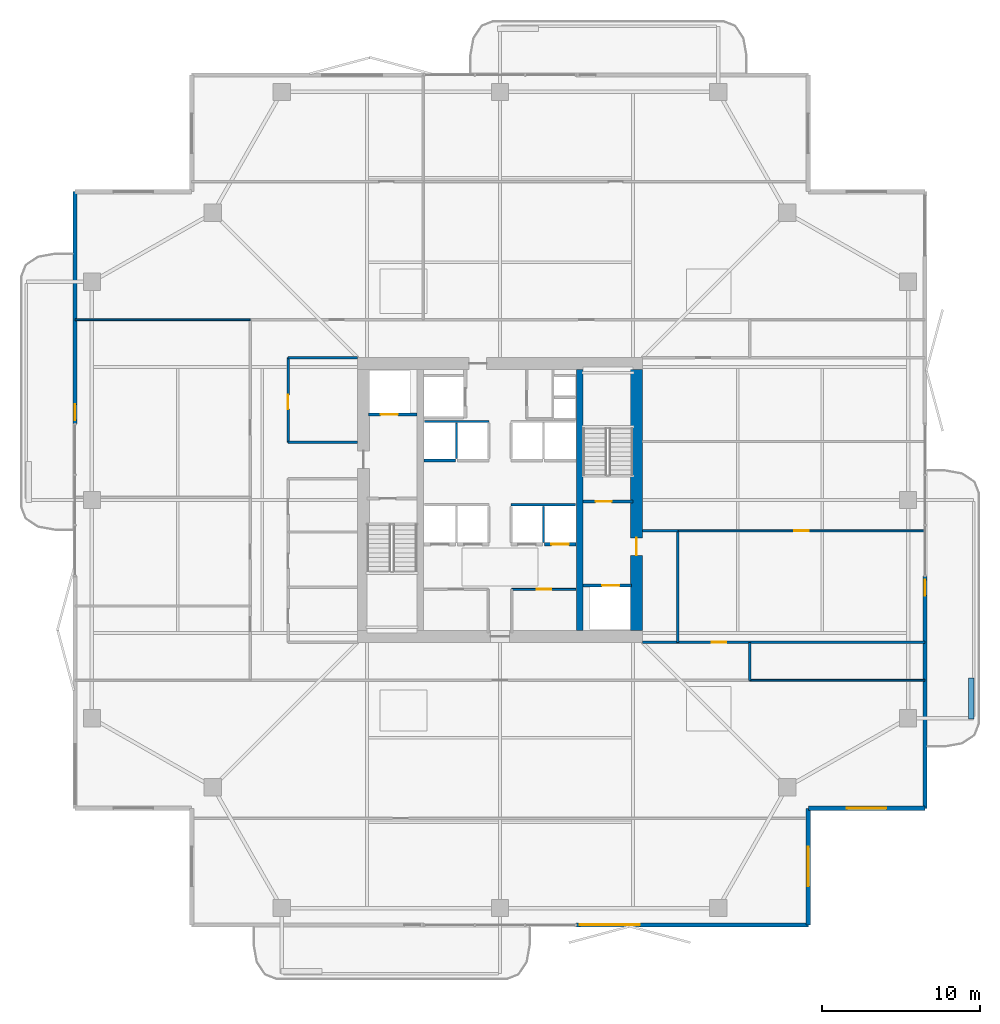
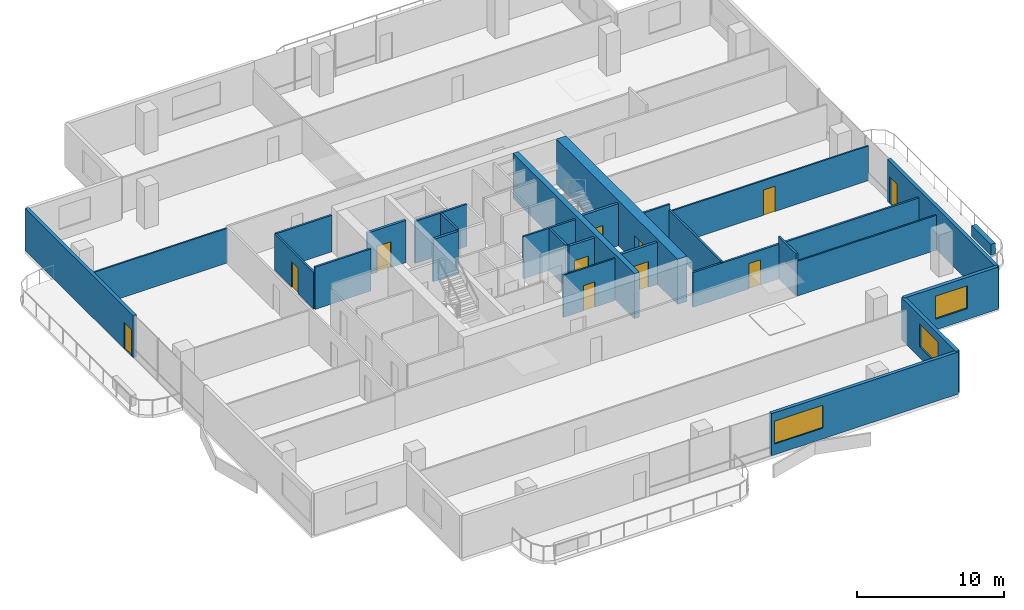
# One storey, part 18 of 24: 28 walls, 11 doors, 3 windows, 14 openings.
"""IFC4 building model written with IfcOpenShell, lengths in metres."""

import ifcopenshell
import ifcopenshell.guid

model = None  # the IFC model being written
_history = None  # IfcOwnerHistory: only IFC2X3 demands one
_inside = {}  # id of a spatial element -> (the spatial element, [elements in it])
_under = {}  # id of a project, library or spatial element -> (it, [spatial elements below it])
_declared = {}  # id of a project -> (the project, [libraries it declares])
_typed = {}  # id of a type object -> (the type object, [elements of that type])
_made_of = {}  # id of a material, layer set ... -> (it, [elements and type objects made of it])


def new_model(schema):
    """Start an empty IFC model of exactly this schema.

    Asked for "IFC4X3", IfcOpenShell would pick the latest addendum, in which some entities
    have other attributes; the version numbers below select the first issue.
    IFC2X3 requires an IfcOwnerHistory on every rooted entity: one is made here for all.
    """
    global model, _history
    if schema == "IFC4X3":
        model = ifcopenshell.file(schema_version=(4, 3, 0, 0))
    else:
        model = ifcopenshell.file(schema=schema)
    _inside.clear()
    _under.clear()
    _declared.clear()
    _typed.clear()
    _made_of.clear()
    _history = None
    if model.schema == "IFC2X3":
        org = make("IfcOrganization", Name="unknown")
        user = make(
            "IfcPersonAndOrganization",
            ThePerson=make("IfcPerson", FamilyName="unknown"),
            TheOrganization=org,
        )
        app = make(
            "IfcApplication",
            ApplicationDeveloper=org,
            Version="unknown",
            ApplicationFullName="unknown",
            ApplicationIdentifier="unknown",
        )
        _history = make(
            "IfcOwnerHistory",
            OwningUser=user,
            OwningApplication=app,
            ChangeAction="ADDED",
            CreationDate=0,
        )
    return model


def make(cls, **values):
    """One entity of the class cls with the attributes given. An attribute that is None is left unset."""
    return model.create_entity(
        cls, **{name: value for name, value in values.items() if value is not None}
    )


def rooted(cls, **values):
    """An entity with a GlobalId (a new one), such as an element, a storey or a relation."""
    return make(cls, GlobalId=ifcopenshell.guid.new(), OwnerHistory=_history, **values)


def si_unit(unit_type, name, prefix=None):
    """IfcSIUnit, for example si_unit("LENGTHUNIT", "METRE", prefix="MILLI")."""
    return make("IfcSIUnit", UnitType=unit_type, Prefix=prefix, Name=name)


def assignment(units):
    """IfcUnitAssignment: the units of a project."""
    return None if units is None else make("IfcUnitAssignment", Units=units)


def point(xyz):
    """IfcCartesianPoint."""
    return None if xyz is None else make("IfcCartesianPoint", Coordinates=xyz)


def direction(xyz):
    """IfcDirection."""
    return None if xyz is None else make("IfcDirection", DirectionRatios=xyz)


def frame(location, z_axis=None, x_axis=None):
    """IfcAxis2Placement3D, a coordinate frame: its origin and axes. An axis left out is left unset."""
    return make(
        "IfcAxis2Placement3D",
        Location=point(location),
        Axis=direction(z_axis),
        RefDirection=direction(x_axis),
    )


def frame_2d(location, x_axis=None):
    """IfcAxis2Placement2D, a coordinate frame in the plane: its origin and x axis."""
    return make(
        "IfcAxis2Placement2D", Location=point(location), RefDirection=direction(x_axis)
    )


def origin():
    """The frame at (0, 0, 0) with its axes left unset."""
    return frame((0.0, 0.0, 0.0))


def place(relative_to, where):
    """IfcLocalPlacement: puts the frame where relative to a parent placement (None: the world)."""
    return make(
        "IfcLocalPlacement", PlacementRelTo=relative_to, RelativePlacement=where
    )


def context(
    kind, dimensions, precision=None, world=None, true_north=None, identifier=None
):
    """IfcGeometricRepresentationContext, for example the 3D "Model" context."""
    return make(
        "IfcGeometricRepresentationContext",
        ContextIdentifier=identifier,
        ContextType=kind,
        CoordinateSpaceDimension=dimensions,
        Precision=precision,
        WorldCoordinateSystem=world,
        TrueNorth=true_north,
    )


def subcontext(parent, identifier, kind, view, scale=None):
    """IfcGeometricRepresentationSubContext, for example "Body" below "Model"."""
    return make(
        "IfcGeometricRepresentationSubContext",
        ContextIdentifier=identifier,
        ContextType=kind,
        ParentContext=parent,
        TargetScale=scale,
        TargetView=view,
    )


def project(units=None, contexts=None):
    """IfcProject with its units and contexts."""
    return rooted(
        "IfcProject",
        Name="project",
        RepresentationContexts=contexts,
        UnitsInContext=assignment(units),
    )


def spatial(cls, under=None, at=None, **own):
    """A site, building, storey or space (cls), placed at a placement, below another one or the project."""
    s = rooted(cls, ObjectPlacement=at, **own)
    if under is not None:
        _under.setdefault(under.id(), (under, []))[1].append(s)
    return s


def profile(cls, at=None, kind="AREA", **sizes):
    """A parametric profile (cls). Its sizes go by their IFC names, for example OverallWidth=200.0."""
    return make(cls, ProfileType=kind, Position=at, **sizes)


def rectangle(**sizes):
    """IfcRectangleProfileDef."""
    return profile("IfcRectangleProfileDef", **sizes)


def extrude(swept, where, along, depth):
    """IfcExtrudedAreaSolid: the profile swept, set in the frame where, extruded along a direction by depth."""
    return make(
        "IfcExtrudedAreaSolid",
        SweptArea=swept,
        Position=where,
        ExtrudedDirection=direction(along),
        Depth=depth,
    )


def shape(context_of_items, identifier, shape_type, items):
    """IfcShapeRepresentation: the items that make up one representation, for example the "Body"."""
    return make(
        "IfcShapeRepresentation",
        ContextOfItems=context_of_items,
        RepresentationIdentifier=identifier,
        RepresentationType=shape_type,
        Items=items,
    )


def material(Name=None, Category=None):
    """IfcMaterial."""
    return make("IfcMaterial", Name=Name, Category=Category)


def layer(
    of_material, thickness, ventilated=None, Name=None, Category=None, Priority=None
):
    """IfcMaterialLayer: one layer of a wall or slab, of a material (None: an air gap)."""
    return make(
        "IfcMaterialLayer",
        Material=of_material,
        LayerThickness=thickness,
        IsVentilated=ventilated,
        Name=Name,
        Category=Category,
        Priority=Priority,
    )


def layer_set(layers, Name=None):
    """IfcMaterialLayerSet."""
    return make("IfcMaterialLayerSet", MaterialLayers=layers, LayerSetName=Name)


def made_of(thing, what):
    """Note that an element or type object is made of a material, layer set ...; save() writes the relation."""
    if what is not None:
        _made_of.setdefault(what.id(), (what, []))[1].append(thing)
    return thing


def type_object(cls, material=None, **own):
    """A type object (cls), such as IfcWallType, which elements share."""
    return made_of(rooted(cls, **own), material)


def element(
    cls,
    number,
    at=None,
    inside=None,
    cuts=None,
    type_object=None,
    material=None,
    context=None,
    identifier="Body",
    shape_type=None,
    held_by="IfcProductDefinitionShape",
    body=None,
    shapes=None,
    **own,
):
    """One element of the class cls, such as IfcWall. Its Tag is "e" and its number.

    at: its placement. inside: the storey or other place that contains it. cuts: it is an
    opening in that element (IfcRelVoidsElement). A single representation is given by context,
    identifier, shape_type and body (its items); several are given by shapes. held_by: the class
    of the entity that holds the representations. save() writes the other relations.
    """
    e = rooted(cls, Tag="e%d" % number, ObjectPlacement=at, **own)
    if body is not None:
        shapes = [shape(context, identifier, shape_type, body)]
    if shapes is not None:
        e.Representation = make(held_by, Representations=shapes)
    if inside is not None:
        _inside.setdefault(inside.id(), (inside, []))[1].append(e)
    if cuts is not None:
        rooted(
            "IfcRelVoidsElement", RelatingBuildingElement=cuts, RelatedOpeningElement=e
        )
    if type_object is not None:
        _typed.setdefault(type_object.id(), (type_object, []))[1].append(e)
    return made_of(e, material)


def fill(opening, filler):
    """IfcRelFillsElement: the door or window that sits in an opening."""
    return rooted(
        "IfcRelFillsElement",
        RelatingOpeningElement=opening,
        RelatedBuildingElement=filler,
    )


def aggregate(whole, parts):
    """IfcRelAggregates: a whole, such as a stair, and the parts it consists of."""
    return rooted("IfcRelAggregates", RelatingObject=whole, RelatedObjects=parts)


def save(model, path):
    """Write the relations noted so far, then the file.

    IfcRelAggregates (storeys below a building ...), IfcRelContainedInSpatialStructure (elements
    in a storey), IfcRelDefinesByType, IfcRelAssociatesMaterial and IfcRelDeclares: one each for
    every whole, place, type object, material and project.
    """
    for whole, parts in _under.values():
        aggregate(whole, parts)
    for where, things in _inside.values():
        rooted(
            "IfcRelContainedInSpatialStructure",
            RelatedElements=things,
            RelatingStructure=where,
        )
    for kind, things in _typed.values():
        rooted("IfcRelDefinesByType", RelatedObjects=things, RelatingType=kind)
    for what, things in _made_of.values():
        rooted("IfcRelAssociatesMaterial", RelatedObjects=things, RelatingMaterial=what)
    for by, libraries in _declared.values():
        rooted("IfcRelDeclares", RelatingContext=by, RelatedDefinitions=libraries)
    model.write(path)


model = new_model("IFC4")

# Units and contexts
model_context = context("Model", 3, precision=1e-05, world=origin(), true_north=direction((0.0, 1.0)))
body_context = subcontext(model_context, "Body", "Model", "MODEL_VIEW")
ifc_project = project(units=[si_unit("LENGTHUNIT", "METRE"), si_unit("AREAUNIT", "SQUARE_METRE"), si_unit("VOLUMEUNIT", "CUBIC_METRE"), si_unit("PLANEANGLEUNIT", "RADIAN"), si_unit("MASSUNIT", "GRAM", prefix="KILO")], contexts=[model_context])

# Site, building, storey
site_placement = place(None, origin())
site = spatial("IfcSite", under=ifc_project, at=site_placement, CompositionType="ELEMENT")
building_placement = place(site_placement, origin())
building = spatial("IfcBuilding", under=site, at=building_placement, Name="Belovzor Exchange Tower", CompositionType="ELEMENT")
storey_placement = place(building_placement, frame((0.0, 0.0, 207.449951171875)))
storey = spatial("IfcBuildingStorey", under=building, at=storey_placement, Name="L51", CompositionType="ELEMENT", Elevation=207.449951171875)

# Wall, opening, door
ifc_material_1 = material(Name="Acoustic Plasterboard on Galvanised Studs", Category="gypsum")
ifc_layer_1 = layer(ifc_material_1, 0.1201171875)
ifc_layer_set_1 = layer_set([ifc_layer_1], Name="Acoustic Plasterboard on Galvanised Studs")
wall_type_1 = type_object("IfcWallType", Name="Acoustic Double-Stud Partition Wall 120", PredefinedType="PARTITIONING", material=ifc_layer_set_1)
wall_1_placement = place(storey_placement, frame((40.050048828125, 26.85009765625, 0.0), z_axis=(0.0, 0.0, 1.0), x_axis=(1.0, 0.0, 0.0)))
wall_1 = element("IfcWall", 1, at=wall_1_placement, inside=storey, type_object=wall_type_1, Name="W-P120 Partition Wall W-L51-EDIV-1", PredefinedType="PARTITIONING", context=body_context, shape_type="SweptSolid", body=[
    extrude(rectangle(XDim=15.619873046875, YDim=0.1201171875, at=frame_2d((7.81005859375, 0.0))), origin(), (0.0, 0.0, 1.0), 2.885009765625),
])
opening_1_placement = place(wall_1_placement, frame((7.360107421875, 0.0, 0.0)))
opening_1 = element("IfcOpeningElement", 2, at=opening_1_placement, cuts=wall_1, Name="Opening D-INT-090", PredefinedType="OPENING", context=body_context, shape_type="SweptSolid", body=[
    extrude(rectangle(XDim=0.89990234375, YDim=2.10009765625, at=frame_2d((0.449951171875, 1.050048828125))), frame((0.0, 0.070068359375, 0.0), z_axis=(0.0, -1.0, 0.0), x_axis=(1.0, 0.0, 0.0)), (0.0, 0.0, 1.0), 0.14013671875),
])
ifc_material_2 = material(Name="Veneered Hardwood Acoustic Leaf", Category="wood")
door_type_1 = type_object("IfcDoorType", Name="Trading Suite Acoustic Single Door 900x2100", OperationType="NOTDEFINED", PredefinedType="DOOR", material=ifc_material_2)
door_1_placement = place(opening_1_placement, origin())
door_1 = element("IfcDoor", 3, at=door_1_placement, inside=storey, type_object=door_type_1, Name="D-INT-090 Trading Suite Acoustic Single Door 900x2100", OperationType="SINGLE_SWING_LEFT", OverallHeight=2.10009765625, OverallWidth=0.89990234375, PredefinedType="DOOR", context=body_context, shape_type="SweptSolid", body=[
    extrude(rectangle(XDim=0.89990234375, YDim=2.10009765625, at=frame_2d((0.449951171875, 1.050048828125))), frame((0.0, 0.02490234375, 0.0), z_axis=(0.0, -1.0, 0.0), x_axis=(1.0, 0.0, 0.0)), (0.0, 0.0, 1.0), 0.050048828125),
])
fill(opening_1, door_1)

# Walls
wall_2_placement = place(storey_placement, frame((44.60009765625, 17.39990234375, 0.0), z_axis=(0.0, 0.0, 1.0), x_axis=(1.0, 0.0, 0.0)))
element("IfcWall", 4, at=wall_2_placement, inside=storey, type_object=wall_type_1, Name="W-P120 Partition Wall W-L51-END-SE", PredefinedType="PARTITIONING", context=body_context, shape_type="SweptSolid", body=[
    extrude(rectangle(XDim=11.06982421875, YDim=0.1201171875, at=frame_2d((5.534912109375, 0.0))), origin(), (0.0, 0.0, 1.0), 2.885009765625),
])
wall_3_placement = place(storey_placement, frame((1.929931640625, 40.199951171875, 0.0), z_axis=(0.0, 0.0, 1.0), x_axis=(1.0, 0.0, 0.0)))
element("IfcWall", 5, at=wall_3_placement, inside=storey, type_object=wall_type_1, Name="W-P120 Partition Wall W-L51-END-NW", PredefinedType="PARTITIONING", context=body_context, shape_type="SweptSolid", body=[
    extrude(rectangle(XDim=11.070068359375, YDim=0.1201171875, at=frame_2d((5.53515625, 0.0))), origin(), (0.0, 0.0, 1.0), 2.885009765625),
])

# Wall, opening, door
ifc_material_3 = material(Name="Fire-Rated Plasterboard on Galvanised Studs", Category="gypsum")
ifc_layer_2 = layer(ifc_material_3, 0.1201171875)
ifc_layer_set_2 = layer_set([ifc_layer_2], Name="Fire-Rated Plasterboard on Galvanised Studs")
wall_type_2 = type_object("IfcWallType", Name="Fire-Rated Double-Stud Partition Wall 120", PredefinedType="PARTITIONING", material=ifc_layer_set_2)
wall_4_placement = place(storey_placement, frame((29.550048828125, 23.14990234375, 0.0), z_axis=(0.0, 0.0, 1.0), x_axis=(1.0, 0.0, 0.0)))
wall_4 = element("IfcWall", 6, at=wall_4_placement, inside=storey, type_object=wall_type_2, Name="W-P120F Partition Wall W-CRL-L51-EN", PredefinedType="PARTITIONING", context=body_context, shape_type="SweptSolid", body=[
    extrude(rectangle(XDim=4.050048828125, YDim=0.1201171875, at=frame_2d((2.02490234375, 0.0))), origin(), (0.0, 0.0, 1.0), 3.5),
])
opening_2_placement = place(wall_4_placement, frame((1.574951171875, 0.0, 0.0)))
opening_2 = element("IfcOpeningElement", 7, at=opening_2_placement, cuts=wall_4, Name="Opening D-FD60-090", PredefinedType="OPENING", context=body_context, shape_type="SweptSolid", body=[
    extrude(rectangle(XDim=0.89990234375, YDim=2.10009765625, at=frame_2d((0.449951171875, 1.050048828125))), frame((0.0, 0.070068359375, 0.0), z_axis=(0.0, -1.0, 0.0), x_axis=(1.0, 0.0, 0.0)), (0.0, 0.0, 1.0), 0.14013671875),
])
ifc_material_4 = material(Name="Acoustic Timber Fire Leaf", Category="wood")
door_type_2 = type_object("IfcDoorType", Name="Core Service & Restroom Fire Door 900x2100", OperationType="NOTDEFINED", PredefinedType="DOOR", material=ifc_material_4)
door_2_placement = place(opening_2_placement, origin())
door_2 = element("IfcDoor", 8, at=door_2_placement, inside=storey, type_object=door_type_2, Name="D-FD60-090 Core Service & Restroom Fire Door 900x2100", OperationType="SINGLE_SWING_RIGHT", OverallHeight=2.10009765625, OverallWidth=0.89990234375, PredefinedType="DOOR", context=body_context, shape_type="SweptSolid", body=[
    extrude(rectangle(XDim=0.89990234375, YDim=2.10009765625, at=frame_2d((0.449951171875, 1.050048828125))), frame((0.0, 0.02490234375, 0.0), z_axis=(0.0, -1.0, 0.0), x_axis=(1.0, 0.0, 0.0)), (0.0, 0.0, 1.0), 0.050048828125),
])
fill(opening_2, door_2)

# Walls
ifc_material_5 = material(Name="Fire-Rated Gypsum Block and Mineral Wool", Category="gypsum")
ifc_layer_3 = layer(ifc_material_5, 0.14990234375)
ifc_layer_set_3 = layer_set([ifc_layer_3], Name="Fire-Rated Gypsum Block and Mineral Wool")
wall_type_3 = type_object("IfcWallType", Name="Fire-Rated Gypsum Block Corridor Wall 150", PredefinedType="PARTITIONING", material=ifc_layer_set_3)
wall_5_placement = place(storey_placement, frame((15.39990234375, 32.449951171875, 0.0), z_axis=(0.0, 0.0, 1.0), x_axis=(1.0, 0.0, 0.0)))
element("IfcWall", 9, at=wall_5_placement, inside=storey, type_object=wall_type_3, Name="W-P150 Partition Wall W-L51-CFW-N", PredefinedType="PARTITIONING", context=body_context, shape_type="SweptSolid", body=[
    extrude(rectangle(XDim=4.400146484375, YDim=0.14990234375, at=frame_2d((2.2001953125, 0.0))), origin(), (0.0, 0.0, 1.0), 3.5),
])
wall_6_placement = place(storey_placement, frame((15.39990234375, 37.800048828125, 0.0), z_axis=(0.0, 0.0, 1.0), x_axis=(1.0, 0.0, 0.0)))
element("IfcWall", 10, at=wall_6_placement, inside=storey, type_object=wall_type_3, Name="W-P150 Partition Wall W-L51-INW-N", PredefinedType="PARTITIONING", context=body_context, shape_type="SweptSolid", body=[
    extrude(rectangle(XDim=4.400146484375, YDim=0.14990234375, at=frame_2d((2.2001953125, 0.0))), origin(), (0.0, 0.0, 1.0), 3.03515625),
])

# Wall, opening, door
wall_7_placement = place(storey_placement, frame((15.39990234375, 32.449951171875, 0.0), z_axis=(0.0, 0.0, 1.0), x_axis=(0.0, 1.0, 0.0)))
wall_7 = element("IfcWall", 11, at=wall_7_placement, inside=storey, type_object=wall_type_3, Name="W-P150 Partition Wall W-L51-WIE-N", PredefinedType="PARTITIONING", context=body_context, shape_type="SweptSolid", body=[
    extrude(rectangle(XDim=5.35009765625, YDim=0.14990234375, at=frame_2d((2.675048828125, 0.0))), origin(), (0.0, 0.0, 1.0), 3.03515625),
])
opening_3_placement = place(wall_7_placement, frame((2.10009765625, 0.0, 0.0)))
opening_3 = element("IfcOpeningElement", 12, at=opening_3_placement, cuts=wall_7, Name="Opening D-FD60-090", PredefinedType="OPENING", context=body_context, shape_type="SweptSolid", body=[
    extrude(rectangle(XDim=0.89990234375, YDim=2.10009765625, at=frame_2d((0.449951171875, 1.050048828125))), frame((0.0, 0.0849609375, 0.0), z_axis=(0.0, -1.0, 0.0), x_axis=(1.0, 0.0, 0.0)), (0.0, 0.0, 1.0), 0.169921875),
])
door_3_placement = place(opening_3_placement, origin())
door_3 = element("IfcDoor", 13, at=door_3_placement, inside=storey, type_object=door_type_2, Name="D-FD60-090 Core Service & Restroom Fire Door 900x2100", OperationType="SINGLE_SWING_LEFT", OverallHeight=2.10009765625, OverallWidth=0.89990234375, PredefinedType="DOOR", context=body_context, shape_type="SweptSolid", body=[
    extrude(rectangle(XDim=0.89990234375, YDim=2.10009765625, at=frame_2d((0.449951171875, 1.050048828125))), frame((0.0, 0.02490234375, 0.0), z_axis=(0.0, -1.0, 0.0), x_axis=(1.0, 0.0, 0.0)), (0.0, 0.0, 1.0), 0.050048828125),
])
fill(opening_3, door_3)

# Walls
wall_8_placement = place(storey_placement, frame((37.800048828125, 26.85009765625, 0.0), z_axis=(0.0, 0.0, 1.0), x_axis=(1.0, 0.0, 0.0)))
element("IfcWall", 14, at=wall_8_placement, inside=storey, type_object=wall_type_3, Name="W-P150 Partition Wall W-L51-CFE-N", PredefinedType="PARTITIONING", context=body_context, shape_type="SweptSolid", body=[
    extrude(rectangle(XDim=2.25, YDim=0.14990234375, at=frame_2d((1.125, 0.0))), origin(), (0.0, 0.0, 1.0), 3.5),
])
wall_9_placement = place(storey_placement, frame((40.050048828125, 19.800048828125, 0.0), z_axis=(0.0, 0.0, 1.0), x_axis=(0.0, 1.0, 0.0)))
element("IfcWall", 15, at=wall_9_placement, inside=storey, type_object=wall_type_3, Name="W-P150 Partition Wall W-L51-CFE-E", PredefinedType="PARTITIONING", context=body_context, shape_type="SweptSolid", body=[
    extrude(rectangle(XDim=7.050048828125, YDim=0.14990234375, at=frame_2d((3.52490234375, 0.0))), origin(), (0.0, 0.0, 1.0), 3.03515625),
])
wall_10_placement = place(storey_placement, frame((44.60009765625, 17.39990234375, 0.0), z_axis=(0.0, 0.0, 1.0), x_axis=(0.0, 1.0, 0.0)))
element("IfcWall", 16, at=wall_10_placement, inside=storey, type_object=wall_type_3, Name="W-P150 Partition Wall W-L51-END-ES", PredefinedType="PARTITIONING", context=body_context, shape_type="SweptSolid", body=[
    extrude(rectangle(XDim=2.400146484375, YDim=0.14990234375, at=frame_2d((1.2001953125, 0.0))), origin(), (0.0, 0.0, 1.0), 3.5),
])

# Wall, opening, door
wall_11_placement = place(storey_placement, frame((37.800048828125, 19.800048828125, 0.0), z_axis=(0.0, 0.0, 1.0), x_axis=(1.0, 0.0, 0.0)))
wall_11 = element("IfcWall", 17, at=wall_11_placement, inside=storey, type_object=wall_type_3, Name="W-P150 Partition Wall W-L51-CS-IN", PredefinedType="PARTITIONING", context=body_context, shape_type="SweptSolid", body=[
    extrude(rectangle(XDim=17.869873046875, YDim=0.14990234375, at=frame_2d((8.93505859375, 0.0))), origin(), (0.0, 0.0, 1.0), 2.885009765625),
])
opening_4_placement = place(wall_11_placement, frame((4.39990234375, 0.0, 0.0)))
opening_4 = element("IfcOpeningElement", 18, at=opening_4_placement, cuts=wall_11, Name="Opening D-INT-090", PredefinedType="OPENING", context=body_context, shape_type="SweptSolid", body=[
    extrude(rectangle(XDim=0.89990234375, YDim=2.10009765625, at=frame_2d((0.449951171875, 1.050048828125))), frame((0.0, 0.0849609375, 0.0), z_axis=(0.0, -1.0, 0.0), x_axis=(1.0, 0.0, 0.0)), (0.0, 0.0, 1.0), 0.169921875),
])
door_4_placement = place(opening_4_placement, origin())
door_4 = element("IfcDoor", 19, at=door_4_placement, inside=storey, type_object=door_type_1, Name="D-INT-090 Trading Suite Acoustic Single Door 900x2100", OperationType="SINGLE_SWING_LEFT", OverallHeight=2.10009765625, OverallWidth=0.89990234375, PredefinedType="DOOR", context=body_context, shape_type="SweptSolid", body=[
    extrude(rectangle(XDim=0.89990234375, YDim=2.10009765625, at=frame_2d((0.449951171875, 1.050048828125))), frame((0.0, 0.02490234375, 0.0), z_axis=(0.0, -1.0, 0.0), x_axis=(1.0, 0.0, 0.0)), (0.0, 0.0, 1.0), 0.050048828125),
])
fill(opening_4, door_4)

# Wall, opening, window
ifc_material_6 = material(Name="Precast concrete C40/50", Category="concrete")
ifc_layer_4 = layer(ifc_material_6, 0.280029296875)
ifc_layer_set_4 = layer_set([ifc_layer_4], Name="Precast concrete C40/50")
wall_type_4 = type_object("IfcWallType", Name="Precast Concrete Notched Corner Frame Wall 280", PredefinedType="SOLIDWALL", material=ifc_layer_set_4)
wall_12_placement = place(storey_placement, frame((55.669921875, 9.300048828125, 0.0), z_axis=(0.0, 0.0, 1.0), x_axis=(-1.0, 0.0, 0.0)))
wall_12 = element("IfcWall", 20, at=wall_12_placement, inside=storey, type_object=wall_type_4, Name="W-CRN280 Precast Concrete Notched Corner Frame Wall 280 L51", PredefinedType="SOLIDWALL", context=body_context, shape_type="SweptSolid", body=[
    extrude(rectangle(XDim=7.369873046875, YDim=0.280029296875, at=frame_2d((3.68505859375, 0.0))), origin(), (0.0, 0.0, 1.0), 3.5),
])
opening_5_placement = place(wall_12_placement, frame((2.43505859375, 0.0, 0.89990234375)))
opening_5 = element("IfcOpeningElement", 21, at=opening_5_placement, cuts=wall_12, Name="Opening WN-CRN250", PredefinedType="OPENING", context=body_context, shape_type="SweptSolid", body=[
    extrude(rectangle(XDim=2.5, YDim=1.89990234375, at=frame_2d((1.25, 0.949951171875))), frame((0.0, 0.14990234375, 0.0), z_axis=(0.0, -1.0, 0.0), x_axis=(1.0, 0.0, 0.0)), (0.0, 0.0, 1.0), 0.300048828125),
])
ifc_material_7 = material(Name="Thermally Broken Aluminium and Triple Glazing", Category="aluminium")
window_type_1 = type_object("IfcWindowType", Name="Streamline Moderne Corner Wrap Ribbon Window 2500x1900", PartitioningType="SINGLE_PANEL", PredefinedType="WINDOW", material=ifc_material_7)
window_1_placement = place(opening_5_placement, origin())
window_1 = element("IfcWindow", 22, at=window_1_placement, inside=storey, type_object=window_type_1, Name="WN-CRN250 Streamline Moderne Corner Wrap Ribbon Window 2500x1900", OverallHeight=1.89990234375, OverallWidth=2.5, PartitioningType="SINGLE_PANEL", PredefinedType="WINDOW", context=body_context, shape_type="SweptSolid", body=[
    extrude(rectangle(XDim=2.5, YDim=1.89990234375, at=frame_2d((1.25, 0.949951171875))), frame((0.0, 0.030029296875, 0.0), z_axis=(0.0, -1.0, 0.0), x_axis=(1.0, 0.0, 0.0)), (0.0, 0.0, 1.0), 0.06005859375),
])
fill(opening_5, window_1)

wall_13_placement = place(storey_placement, frame((48.300048828125, 9.300048828125, 0.0), z_axis=(0.0, 0.0, 1.0), x_axis=(0.0, -1.0, 0.0)))
wall_13 = element("IfcWall", 23, at=wall_13_placement, inside=storey, type_object=wall_type_4, Name="W-CRN280 Precast Concrete Notched Corner Frame Wall 280 L51", PredefinedType="SOLIDWALL", context=body_context, shape_type="SweptSolid", body=[
    extrude(rectangle(XDim=7.3701171875, YDim=0.280029296875, at=frame_2d((3.68505859375, 0.0))), origin(), (0.0, 0.0, 1.0), 3.5),
])
opening_6_placement = place(wall_13_placement, frame((2.43505859375, 0.0, 0.89990234375)))
opening_6 = element("IfcOpeningElement", 24, at=opening_6_placement, cuts=wall_13, Name="Opening WN-CRN250", PredefinedType="OPENING", context=body_context, shape_type="SweptSolid", body=[
    extrude(rectangle(XDim=2.5, YDim=1.89990234375, at=frame_2d((1.25, 0.949951171875))), frame((0.0, 0.14990234375, 0.0), z_axis=(0.0, -1.0, 0.0), x_axis=(1.0, 0.0, 0.0)), (0.0, 0.0, 1.0), 0.300048828125),
])
window_2_placement = place(opening_6_placement, origin())
window_2 = element("IfcWindow", 25, at=window_2_placement, inside=storey, type_object=window_type_1, Name="WN-CRN250 Streamline Moderne Corner Wrap Ribbon Window 2500x1900", OverallHeight=1.89990234375, OverallWidth=2.5, PartitioningType="SINGLE_PANEL", PredefinedType="WINDOW", context=body_context, shape_type="SweptSolid", body=[
    extrude(rectangle(XDim=2.5, YDim=1.89990234375, at=frame_2d((1.25, 0.949951171875))), frame((0.0, 0.030029296875, 0.0), z_axis=(0.0, -1.0, 0.0), x_axis=(1.0, 0.0, 0.0)), (0.0, 0.0, 1.0), 0.06005859375),
])
fill(opening_6, window_2)

ifc_material_8 = material(Name="Precast concrete C40/50", Category="concrete")
ifc_layer_5 = layer(ifc_material_8, 0.260009765625)
ifc_layer_set_5 = layer_set([ifc_layer_5], Name="Precast concrete C40/50")
wall_type_5 = type_object("IfcWallType", Name="Precast Concrete Perimeter Loggia Frame Wall 260", PredefinedType="SOLIDWALL", material=ifc_layer_set_5)
wall_14_placement = place(storey_placement, frame((48.300048828125, 1.929931640625, 0.0), z_axis=(0.0, 0.0, 1.0), x_axis=(-1.0, 0.0, 0.0)))
wall_14 = element("IfcWall", 26, at=wall_14_placement, inside=storey, type_object=wall_type_5, Name="W-EXT260 Precast Concrete Perimeter Loggia Frame Wall 260 L51", PredefinedType="SOLIDWALL", context=body_context, shape_type="SweptSolid", body=[
    extrude(rectangle(XDim=14.699951171875, YDim=0.260009765625, at=frame_2d((7.35009765625, 0.0))), origin(), (0.0, 0.0, 1.0), 3.5),
])
opening_7_placement = place(wall_14_placement, frame((10.64990234375, 0.0, 0.89990234375)))
opening_7 = element("IfcOpeningElement", 27, at=opening_7_placement, cuts=wall_14, Name="Opening WN-RIB380", PredefinedType="OPENING", context=body_context, shape_type="SweptSolid", body=[
    extrude(rectangle(XDim=3.800048828125, YDim=1.89990234375, at=frame_2d((1.89990234375, 0.949951171875))), frame((0.0, 0.139892578125, 0.0), z_axis=(0.0, -1.0, 0.0), x_axis=(1.0, 0.0, 0.0)), (0.0, 0.0, 1.0), 0.280029296875),
])
ifc_material_9 = material(Name="Thermally Broken Aluminium and Triple Glazing", Category="aluminium")
window_type_2 = type_object("IfcWindowType", Name="Streamline Moderne Horizontal Ribbon Window 3800x1900", PartitioningType="SINGLE_PANEL", PredefinedType="WINDOW", material=ifc_material_9)
window_3_placement = place(opening_7_placement, origin())
window_3 = element("IfcWindow", 28, at=window_3_placement, inside=storey, type_object=window_type_2, Name="WN-RIB380 Streamline Moderne Horizontal Ribbon Window 3800x1900", OverallHeight=1.89990234375, OverallWidth=3.800048828125, PartitioningType="SINGLE_PANEL", PredefinedType="WINDOW", context=body_context, shape_type="SweptSolid", body=[
    extrude(rectangle(XDim=3.800048828125, YDim=1.89990234375, at=frame_2d((1.89990234375, 0.949951171875))), frame((0.0, 0.030029296875, 0.0), z_axis=(0.0, -1.0, 0.0), x_axis=(1.0, 0.0, 0.0)), (0.0, 0.0, 1.0), 0.06005859375),
])
fill(opening_7, window_3)

# Wall, opening, door
wall_15_placement = place(storey_placement, frame((1.929931640625, 33.60009765625, 0.0), z_axis=(0.0, 0.0, 1.0), x_axis=(0.0, 1.0, 0.0)))
wall_15 = element("IfcWall", 29, at=wall_15_placement, inside=storey, type_object=wall_type_5, Name="W-EXT260 Precast Concrete Perimeter Loggia Frame Wall 260 L51", PredefinedType="SOLIDWALL", context=body_context, shape_type="SweptSolid", body=[
    extrude(rectangle(XDim=14.699951171875, YDim=0.260009765625, at=frame_2d((7.35009765625, 0.0))), origin(), (0.0, 0.0, 1.0), 3.5),
])
opening_8_placement = place(wall_15_placement, frame((0.25, 0.0, 0.0)))
opening_8 = element("IfcOpeningElement", 30, at=opening_8_placement, cuts=wall_15, Name="Opening D-BAL100", PredefinedType="OPENING", context=body_context, shape_type="SweptSolid", body=[
    extrude(rectangle(XDim=1.0, YDim=2.199951171875, at=frame_2d((0.5, 1.10009765625))), frame((0.0, 0.139892578125, 0.0), z_axis=(0.0, -1.0, 0.0), x_axis=(1.0, 0.0, 0.0)), (0.0, 0.0, 1.0), 0.280029296875),
])
ifc_material_10 = material(Name="Thermally Broken Anodised Aluminium and Laminated Glass", Category="aluminium")
door_type_3 = type_object("IfcDoorType", Name="Planted Loggia Terrace Glazed Door 1000x2200", OperationType="SINGLE_SWING_LEFT", PredefinedType="DOOR", material=ifc_material_10)
door_5_placement = place(opening_8_placement, origin())
door_5 = element("IfcDoor", 31, at=door_5_placement, inside=storey, type_object=door_type_3, Name="D-BAL100 Balcony Terrace Door L51 W", OperationType="SINGLE_SWING_RIGHT", OverallHeight=2.199951171875, OverallWidth=1.0, PredefinedType="DOOR", context=body_context, shape_type="SweptSolid", body=[
    extrude(rectangle(XDim=1.0, YDim=2.199951171875, at=frame_2d((0.5, 1.10009765625))), frame((0.0, 0.02490234375, 0.0), z_axis=(0.0, -1.0, 0.0), x_axis=(1.0, 0.0, 0.0)), (0.0, 0.0, 1.0), 0.050048828125),
])
fill(opening_8, door_5)

wall_16_placement = place(storey_placement, frame((55.669921875, 24.0, 0.0), z_axis=(0.0, 0.0, 1.0), x_axis=(0.0, -1.0, 0.0)))
wall_16 = element("IfcWall", 32, at=wall_16_placement, inside=storey, type_object=wall_type_5, Name="W-EXT260 Precast Concrete Perimeter Loggia Frame Wall 260 L51", PredefinedType="SOLIDWALL", context=body_context, shape_type="SweptSolid", body=[
    extrude(rectangle(XDim=14.699951171875, YDim=0.260009765625, at=frame_2d((7.35009765625, 0.0))), origin(), (0.0, 0.0, 1.0), 3.5),
])
opening_9_placement = place(wall_16_placement, frame((0.25, 0.0, 0.0)))
opening_9 = element("IfcOpeningElement", 33, at=opening_9_placement, cuts=wall_16, Name="Opening D-BAL100", PredefinedType="OPENING", context=body_context, shape_type="SweptSolid", body=[
    extrude(rectangle(XDim=1.0, YDim=2.199951171875, at=frame_2d((0.5, 1.10009765625))), frame((0.0, 0.139892578125, 0.0), z_axis=(0.0, -1.0, 0.0), x_axis=(1.0, 0.0, 0.0)), (0.0, 0.0, 1.0), 0.280029296875),
])
door_6_placement = place(opening_9_placement, origin())
door_6 = element("IfcDoor", 34, at=door_6_placement, inside=storey, type_object=door_type_3, Name="D-BAL100 Balcony Terrace Door L51 E", OperationType="SINGLE_SWING_LEFT", OverallHeight=2.199951171875, OverallWidth=1.0, PredefinedType="DOOR", context=body_context, shape_type="SweptSolid", body=[
    extrude(rectangle(XDim=1.0, YDim=2.199951171875, at=frame_2d((0.5, 1.10009765625))), frame((0.0, 0.02490234375, 0.0), z_axis=(0.0, -1.0, 0.0), x_axis=(1.0, 0.0, 0.0)), (0.0, 0.0, 1.0), 0.050048828125),
])
fill(opening_9, door_6)

# Walls
ifc_material_11 = material(Name="Precast concrete C40/50", Category="concrete")
ifc_layer_6 = layer(ifc_material_11, 0.35009765625)
ifc_layer_set_6 = layer_set([ifc_layer_6], Name="Precast concrete C40/50")
wall_type_6 = type_object("IfcWallType", Name="Precast Concrete Structural Tree Planter Trough 350", PredefinedType="PARAPET", material=ifc_layer_set_6)
wall_17_placement = place(storey_placement, frame((58.60009765625, 14.949951171875, 0.0), z_axis=(0.0, 0.0, 1.0), x_axis=(0.0, 1.0, 0.0)))
element("IfcWall", 35, at=wall_17_placement, inside=storey, type_object=wall_type_6, Name="PT-350 Precast Concrete Structural Tree Planter Trough 350 L51", PredefinedType="PARAPET", context=body_context, shape_type="SweptSolid", body=[
    extrude(rectangle(XDim=2.60009765625, YDim=0.35009765625, at=frame_2d((1.300048828125, 0.0))), origin(), (0.0, 0.0, 1.0), 0.900146484375),
])
ifc_material_12 = material(Name="Concrete C50/60", Category="concrete")
ifc_layer_7 = layer(ifc_material_12, 0.39990234375)
ifc_layer_set_7 = layer_set([ifc_layer_7], Name="Concrete C50/60")
wall_type_7 = type_object("IfcWallType", Name="Reinforced Concrete Core Internal Web Wall 400", PredefinedType="SHEAR", material=ifc_layer_set_7)
wall_18_placement = place(storey_placement, frame((33.85009765625, 20.550048828125, 0.0), z_axis=(0.0, 0.0, 1.0), x_axis=(0.0, 1.0, 0.0)))
element("IfcWall", 36, at=wall_18_placement, inside=storey, type_object=wall_type_7, Name="CW-W040 Core Internal Web Wall L51 ER", PredefinedType="SHEAR", context=body_context, shape_type="SweptSolid", body=[
    extrude(rectangle(XDim=16.5, YDim=0.39990234375, at=frame_2d((8.25, 0.0))), origin(), (0.0, 0.0, 1.0), 3.75),
])
ifc_material_13 = material(Name="Concrete C50/60", Category="concrete")
ifc_layer_8 = layer(ifc_material_13, 0.14990234375)
ifc_layer_set_8 = layer_set([ifc_layer_8], Name="Concrete C50/60")
wall_type_8 = type_object("IfcWallType", Name="Reinforced Concrete Core Riser Shear Wall 150", PredefinedType="SHEAR", material=ifc_layer_set_8)
wall_19_placement = place(storey_placement, frame((29.5, 28.5, 0.0), z_axis=(0.0, 0.0, 1.0), x_axis=(1.0, 0.0, 0.0)))
element("IfcWall", 37, at=wall_19_placement, inside=storey, type_object=wall_type_8, Name="W-C150S Core Shaft Wall W-SHB-L51-PLM-NE", PredefinedType="SHEAR", context=body_context, shape_type="SweptSolid", body=[
    extrude(rectangle(XDim=4.080078125, YDim=0.14990234375, at=frame_2d((2.0400390625, 0.0))), origin(), (0.0, 0.0, 1.0), 3.5),
])
wall_20_placement = place(storey_placement, frame((31.550048828125, 26.1201171875, 0.0), z_axis=(0.0, 0.0, 1.0), x_axis=(0.0, 1.0, 0.0)))
element("IfcWall", 38, at=wall_20_placement, inside=storey, type_object=wall_type_8, Name="W-C150S Core Shaft Wall W-SHD-L51-PLM-4", PredefinedType="SHEAR", context=body_context, shape_type="SweptSolid", body=[
    extrude(rectangle(XDim=2.27978515625, YDim=0.14990234375, at=frame_2d((1.139892578125, 0.0))), origin(), (0.0, 0.0, 1.0), 3.5),
])
wall_21_placement = place(storey_placement, frame((24.02001953125, 33.760009765625, 0.0), z_axis=(0.0, 0.0, 1.0), x_axis=(1.0, 0.0, 0.0)))
element("IfcWall", 39, at=wall_21_placement, inside=storey, type_object=wall_type_8, Name="W-C150S Core Shaft Wall W-SHB-L51-PLH-NW", PredefinedType="SHEAR", context=body_context, shape_type="SweptSolid", body=[
    extrude(rectangle(XDim=4.080078125, YDim=0.14990234375, at=frame_2d((2.0400390625, 0.0))), origin(), (0.0, 0.0, 1.0), 3.5),
])
wall_22_placement = place(storey_placement, frame((26.050048828125, 31.419921875, 0.0), z_axis=(0.0, 0.0, 1.0), x_axis=(0.0, 1.0, 0.0)))
element("IfcWall", 40, at=wall_22_placement, inside=storey, type_object=wall_type_8, Name="W-C150S Core Shaft Wall W-SHD-L51-PLH-1", PredefinedType="SHEAR", context=body_context, shape_type="SweptSolid", body=[
    extrude(rectangle(XDim=2.239990234375, YDim=0.14990234375, at=frame_2d((1.1201171875, 0.0))), origin(), (0.0, 0.0, 1.0), 3.5),
])

# Wall, opening, door
ifc_material_14 = material(Name="Concrete C50/60", Category="concrete")
ifc_layer_9 = layer(ifc_material_14, 0.199951171875)
ifc_layer_set_9 = layer_set([ifc_layer_9], Name="Concrete C50/60")
wall_type_9 = type_object("IfcWallType", Name="Reinforced Concrete Core Shaft Shear Wall 200", PredefinedType="SHEAR", material=ifc_layer_set_9)
wall_23_placement = place(storey_placement, frame((34.050048828125, 28.699951171875, 0.0), z_axis=(0.0, 0.0, 1.0), x_axis=(1.0, 0.0, 0.0)))
wall_23 = element("IfcWall", 41, at=wall_23_placement, inside=storey, type_object=wall_type_9, Name="W-C200S Core Shaft Wall W-CORE-L51-FFLE2", PredefinedType="SHEAR", context=body_context, shape_type="SweptSolid", body=[
    extrude(rectangle(XDim=3.14990234375, YDim=0.199951171875, at=frame_2d((1.574951171875, 0.0))), origin(), (0.0, 0.0, 1.0), 3.5),
])
opening_10_placement = place(wall_23_placement, frame((0.800048828125, 0.0, 0.0)))
opening_10 = element("IfcOpeningElement", 42, at=opening_10_placement, cuts=wall_23, Name="Opening D-FD90-100", PredefinedType="OPENING", context=body_context, shape_type="SweptSolid", body=[
    extrude(rectangle(XDim=1.0, YDim=2.10009765625, at=frame_2d((0.5, 1.050048828125))), frame((0.0, 0.10986328125, 0.0), z_axis=(0.0, -1.0, 0.0), x_axis=(1.0, 0.0, 0.0)), (0.0, 0.0, 1.0), 0.219970703125),
])
ifc_material_15 = material(Name="Fire-Rated Galvanised Steel Leaf", Category="steel")
door_type_4 = type_object("IfcDoorType", Name="Protected Stairwell Single Fire Door 1000x2100", OperationType="NOTDEFINED", PredefinedType="DOOR", material=ifc_material_15)
door_7_placement = place(opening_10_placement, origin())
door_7 = element("IfcDoor", 43, at=door_7_placement, inside=storey, type_object=door_type_4, Name="D-FD90-100 Protected Stairwell Single Fire Door 1000x2100", OperationType="SINGLE_SWING_LEFT", OverallHeight=2.10009765625, OverallWidth=1.0, PredefinedType="DOOR", context=body_context, shape_type="SweptSolid", body=[
    extrude(rectangle(XDim=1.0, YDim=2.10009765625, at=frame_2d((0.5, 1.050048828125))), frame((0.0, 0.02490234375, 0.0), z_axis=(0.0, -1.0, 0.0), x_axis=(1.0, 0.0, 0.0)), (0.0, 0.0, 1.0), 0.050048828125),
])
fill(opening_10, door_7)

wall_24_placement = place(storey_placement, frame((20.5, 34.199951171875, 0.0), z_axis=(0.0, 0.0, 1.0), x_axis=(1.0, 0.0, 0.0)))
wall_24 = element("IfcWall", 44, at=wall_24_placement, inside=storey, type_object=wall_type_9, Name="W-C200S Core Shaft Wall W-SH-L51-FFL-01", PredefinedType="SHEAR", context=body_context, shape_type="SweptSolid", body=[
    extrude(rectangle(XDim=3.050048828125, YDim=0.199951171875, at=frame_2d((1.52490234375, 0.0))), origin(), (0.0, 0.0, 1.0), 3.5),
])
opening_11_placement = place(wall_24_placement, frame((0.75, 0.0, 0.0)))
opening_11 = element("IfcOpeningElement", 45, at=opening_11_placement, cuts=wall_24, Name="Opening LD-110", PredefinedType="OPENING", context=body_context, shape_type="SweptSolid", body=[
    extrude(rectangle(XDim=1.10009765625, YDim=2.14990234375, at=frame_2d((0.550048828125, 1.074951171875))), frame((0.0, 0.10986328125, 0.0), z_axis=(0.0, -1.0, 0.0), x_axis=(1.0, 0.0, 0.0)), (0.0, 0.0, 1.0), 0.219970703125),
])
ifc_material_16 = material(Name="Stainless Steel Grade 304", Category="steel")
door_type_5 = type_object("IfcDoorType", Name="Automated Stainless Steel Lift Landing Door 1100x2150", OperationType="SLIDING_TO_RIGHT", PredefinedType="DOOR", material=ifc_material_16)
door_8_placement = place(opening_11_placement, origin())
door_8 = element("IfcDoor", 46, at=door_8_placement, inside=storey, type_object=door_type_5, Name="LD-110 Automated Stainless Steel Lift Landing Door 1100x2150", OperationType="SLIDING_TO_RIGHT", OverallHeight=2.14990234375, OverallWidth=1.10009765625, PredefinedType="DOOR", context=body_context, shape_type="SweptSolid", body=[
    extrude(rectangle(XDim=1.10009765625, YDim=2.14990234375, at=frame_2d((0.550048828125, 1.074951171875))), frame((0.0, 0.02490234375, 0.0), z_axis=(0.0, -1.0, 0.0), x_axis=(1.0, 0.0, 0.0)), (0.0, 0.0, 1.0), 0.050048828125),
])
fill(opening_11, door_8)

wall_25_placement = place(storey_placement, frame((34.050048828125, 23.39990234375, 0.0), z_axis=(0.0, 0.0, 1.0), x_axis=(1.0, 0.0, 0.0)))
wall_25 = element("IfcWall", 47, at=wall_25_placement, inside=storey, type_object=wall_type_9, Name="W-C200S Core Shaft Wall W-SH-L51-FFL-02", PredefinedType="SHEAR", context=body_context, shape_type="SweptSolid", body=[
    extrude(rectangle(XDim=3.050048828125, YDim=0.199951171875, at=frame_2d((1.52490234375, 0.0))), origin(), (0.0, 0.0, 1.0), 3.5),
])
opening_12_placement = place(wall_25_placement, frame((1.199951171875, 0.0, 0.0)))
opening_12 = element("IfcOpeningElement", 48, at=opening_12_placement, cuts=wall_25, Name="Opening LD-110", PredefinedType="OPENING", context=body_context, shape_type="SweptSolid", body=[
    extrude(rectangle(XDim=1.10009765625, YDim=2.14990234375, at=frame_2d((0.550048828125, 1.074951171875))), frame((0.0, 0.10986328125, 0.0), z_axis=(0.0, -1.0, 0.0), x_axis=(1.0, 0.0, 0.0)), (0.0, 0.0, 1.0), 0.219970703125),
])
door_9_placement = place(opening_12_placement, origin())
door_9 = element("IfcDoor", 49, at=door_9_placement, inside=storey, type_object=door_type_5, Name="LD-110 Automated Stainless Steel Lift Landing Door 1100x2150", OperationType="SLIDING_TO_RIGHT", OverallHeight=2.14990234375, OverallWidth=1.10009765625, PredefinedType="DOOR", context=body_context, shape_type="SweptSolid", body=[
    extrude(rectangle(XDim=1.10009765625, YDim=2.14990234375, at=frame_2d((0.550048828125, 1.074951171875))), frame((0.0, 0.02490234375, 0.0), z_axis=(0.0, -1.0, 0.0), x_axis=(1.0, 0.0, 0.0)), (0.0, 0.0, 1.0), 0.050048828125),
])
fill(opening_12, door_9)

wall_26_placement = place(storey_placement, frame((31.60009765625, 26.0, 0.0), z_axis=(0.0, 0.0, 1.0), x_axis=(1.0, 0.0, 0.0)))
wall_26 = element("IfcWall", 50, at=wall_26_placement, inside=storey, type_object=wall_type_9, Name="W-C200S Core Shaft Wall W-SH-L51-PL-M4", PredefinedType="SHEAR", context=body_context, shape_type="SweptSolid", body=[
    extrude(rectangle(XDim=2.0, YDim=0.199951171875, at=frame_2d((1.0, 0.0))), origin(), (0.0, 0.0, 1.0), 3.5),
])
opening_13_placement = place(wall_26_placement, frame((0.449951171875, 0.0, 0.0)))
opening_13 = element("IfcOpeningElement", 51, at=opening_13_placement, cuts=wall_26, Name="Opening LD-110", PredefinedType="OPENING", context=body_context, shape_type="SweptSolid", body=[
    extrude(rectangle(XDim=1.10009765625, YDim=2.14990234375, at=frame_2d((0.550048828125, 1.074951171875))), frame((0.0, 0.10986328125, 0.0), z_axis=(0.0, -1.0, 0.0), x_axis=(1.0, 0.0, 0.0)), (0.0, 0.0, 1.0), 0.219970703125),
])
door_10_placement = place(opening_13_placement, origin())
door_10 = element("IfcDoor", 52, at=door_10_placement, inside=storey, type_object=door_type_5, Name="LD-110 Automated Stainless Steel Lift Landing Door 1100x2150", OperationType="SLIDING_TO_RIGHT", OverallHeight=2.14990234375, OverallWidth=1.10009765625, PredefinedType="DOOR", context=body_context, shape_type="SweptSolid", body=[
    extrude(rectangle(XDim=1.10009765625, YDim=2.14990234375, at=frame_2d((0.550048828125, 1.074951171875))), frame((0.0, 0.02490234375, 0.0), z_axis=(0.0, -1.0, 0.0), x_axis=(1.0, 0.0, 0.0)), (0.0, 0.0, 1.0), 0.050048828125),
])
fill(opening_13, door_10)

# Wall
wall_27_placement = place(storey_placement, frame((24.0, 31.300048828125, 0.0), z_axis=(0.0, 0.0, 1.0), x_axis=(1.0, 0.0, 0.0)))
element("IfcWall", 53, at=wall_27_placement, inside=storey, type_object=wall_type_9, Name="W-C200S Core Shaft Wall W-SH-L51-PL-H1", PredefinedType="SHEAR", context=body_context, shape_type="SweptSolid", body=[
    extrude(rectangle(XDim=2.0, YDim=0.199951171875, at=frame_2d((1.0, 0.0))), origin(), (0.0, 0.0, 1.0), 3.5),
])

# Wall, opening, door
ifc_material_17 = material(Name="Concrete C50/60", Category="concrete")
ifc_layer_10 = layer(ifc_material_17, 0.75)
ifc_layer_set_10 = layer_set([ifc_layer_10], Name="Concrete C50/60")
wall_type_10 = type_object("IfcWallType", Name="Reinforced Concrete Core Shear Wall 750", PredefinedType="SHEAR", material=ifc_layer_set_10)
wall_28_placement = place(storey_placement, frame((37.425048828125, 20.550048828125, 0.0), z_axis=(0.0, 0.0, 1.0), x_axis=(0.0, 1.0, 0.0)))
wall_28 = element("IfcWall", 54, at=wall_28_placement, inside=storey, type_object=wall_type_10, Name="CW-S075 Core Shear Wall L51 E", PredefinedType="SHEAR", context=body_context, shape_type="SweptSolid", body=[
    extrude(rectangle(XDim=16.5, YDim=0.75, at=frame_2d((8.25, 0.0))), origin(), (0.0, 0.0, 1.0), 3.75),
])
opening_14_placement = place(wall_28_placement, frame((4.75, 0.0, 0.0)))
opening_14 = element("IfcOpeningElement", 55, at=opening_14_placement, cuts=wall_28, Name="Opening D-FD90-110", PredefinedType="OPENING", context=body_context, shape_type="SweptSolid", body=[
    extrude(rectangle(XDim=1.10009765625, YDim=2.14990234375, at=frame_2d((0.550048828125, 1.074951171875))), frame((0.0, 0.385009765625, 0.0), z_axis=(0.0, -1.0, 0.0), x_axis=(1.0, 0.0, 0.0)), (0.0, 0.0, 1.0), 0.77001953125),
])
ifc_material_18 = material(Name="Fire-Rated Galvanised Steel Leaf", Category="steel")
door_type_6 = type_object("IfcDoorType", Name="Protected Escape Vestibule Fire Door 1100x2150", OperationType="NOTDEFINED", PredefinedType="DOOR", material=ifc_material_18)
door_11_placement = place(opening_14_placement, origin())
door_11 = element("IfcDoor", 56, at=door_11_placement, inside=storey, type_object=door_type_6, Name="D-FD90-110 Protected Escape Vestibule Fire Door 1100x2150", OperationType="SINGLE_SWING_RIGHT", OverallHeight=2.14990234375, OverallWidth=1.10009765625, PredefinedType="DOOR", context=body_context, shape_type="SweptSolid", body=[
    extrude(rectangle(XDim=1.10009765625, YDim=2.14990234375, at=frame_2d((0.550048828125, 1.074951171875))), frame((0.0, 0.02490234375, 0.0), z_axis=(0.0, -1.0, 0.0), x_axis=(1.0, 0.0, 0.0)), (0.0, 0.0, 1.0), 0.050048828125),
])
fill(opening_14, door_11)

save(model, "model.ifc")
